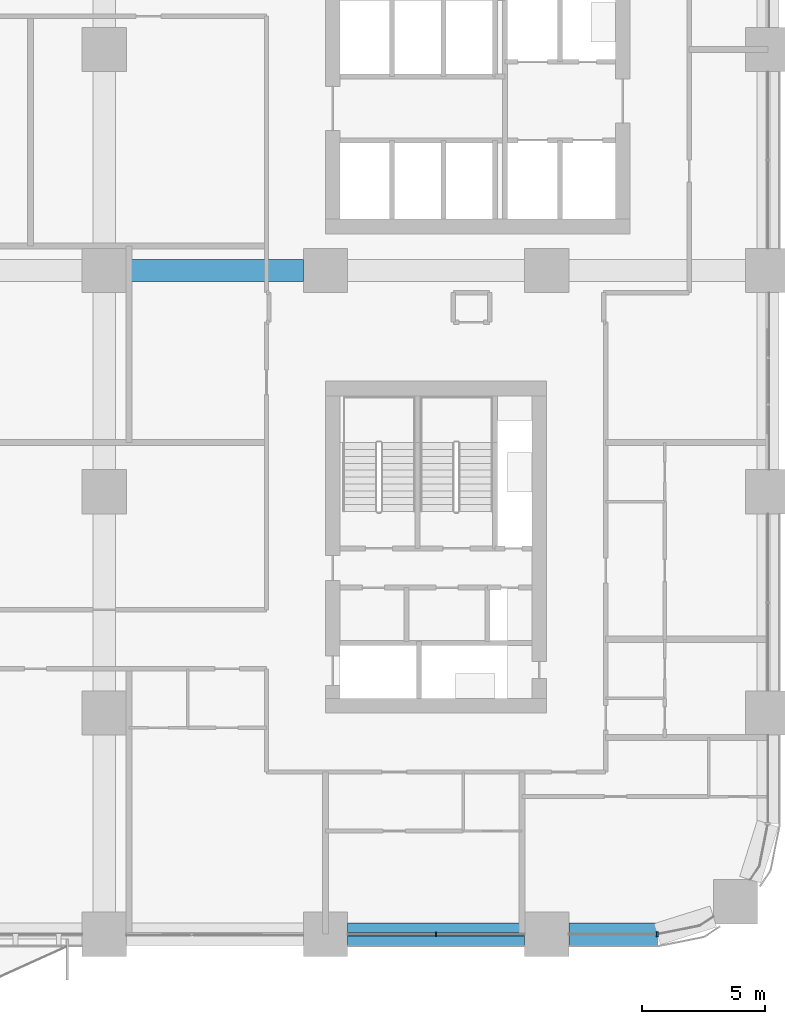
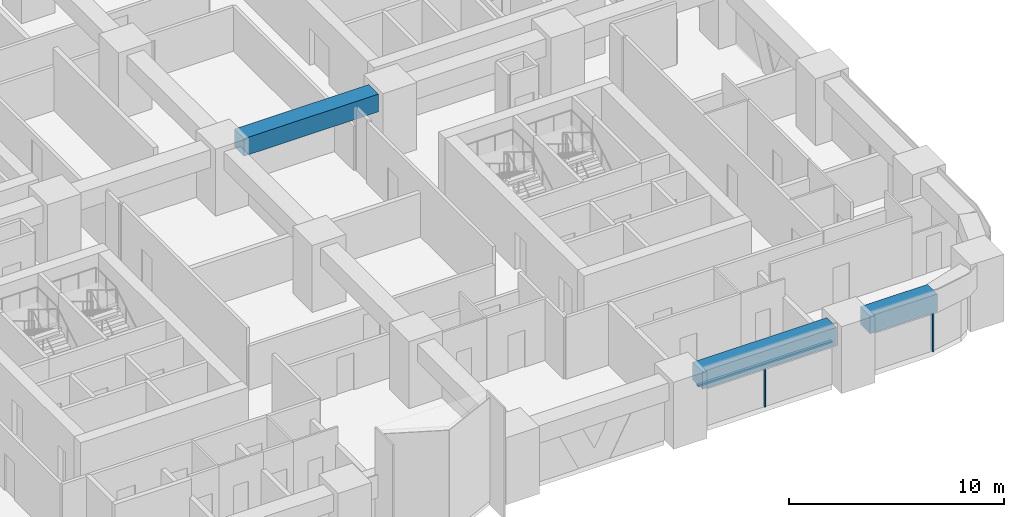
# One storey, part 5 of 24: 3 beams, 3 members, 2 elements without a shape of their own.
"""IFC4 building model written with IfcOpenShell, lengths in metres."""

from ifc_helpers import new_model, si_unit, direction, frame, origin, origin_2d, place, context, subcontext, project, spatial, rectangle, extrude, material, material_profile, profile_set, type_object, element, aggregate, save


model = new_model("IFC4")

# Units and contexts
model_context = context("Model", 3, precision=1e-05, world=origin(), true_north=direction((0.0, 1.0)))
body_context = subcontext(model_context, "Body", "Model", "MODEL_VIEW")
ifc_project = project(units=[si_unit("LENGTHUNIT", "METRE"), si_unit("AREAUNIT", "SQUARE_METRE"), si_unit("VOLUMEUNIT", "CUBIC_METRE"), si_unit("PLANEANGLEUNIT", "RADIAN"), si_unit("MASSUNIT", "GRAM", prefix="KILO")], contexts=[model_context])

# Site, building, storey
site_placement = place(None, origin())
site = spatial("IfcSite", under=ifc_project, at=site_placement, CompositionType="ELEMENT")
building_placement = place(site_placement, origin())
building = spatial("IfcBuilding", under=site, at=building_placement, Name="Tessera Arch", CompositionType="ELEMENT")
storey_placement = place(building_placement, frame((0.0, 0.0, 38.60009765625)))
storey = spatial("IfcBuildingStorey", under=building, at=storey_placement, Name="L07", CompositionType="ELEMENT", Elevation=38.60009765625)

# Curtain wall, members
ifc_material_1 = material(Name="CW1 curtain wall")
curtain_wall_type_1 = type_object("IfcCurtainWallType", Name="CW1 curtain wall", PredefinedType="NOTDEFINED", material=ifc_material_1)
curtain_wall_1_placement = place(storey_placement, origin())
curtain_wall_1 = element("IfcCurtainWall", 1, at=curtain_wall_1_placement, inside=storey, type_object=curtain_wall_type_1, Name="CW1 curtain wall S0.0/3 L07", PredefinedType="NOTDEFINED")
ifc_material_2 = material(Name="Anodised aluminium pale metal", Category="aluminium")
ifc_material_profile_1 = material_profile(ifc_material_2, rectangle(XDim=0.159912109375, YDim=0.06005859375, at=origin_2d()), Name="AL 60x160")
ifc_profile_set_1 = profile_set([ifc_material_profile_1], Name="Anodised aluminium pale metal")
member_type_1 = type_object("IfcMemberType", Name="CW1 mullion", PredefinedType="MULLION", material=ifc_profile_set_1)
member_1_placement = place(storey_placement, frame((40.5, 0.0, 0.0), z_axis=(0.0, 0.0, 1.0), x_axis=(0.0, 1.0, 0.0)))
member_1 = element("IfcMember", 2, at=member_1_placement, type_object=member_type_1, Name="CW1 mullion S0.0/3 1", PredefinedType="MULLION", context=body_context, shape_type="SweptSolid", body=[
    extrude(rectangle(XDim=0.159912109375, YDim=0.06005859375, at=origin_2d()), origin(), (0.0, 0.0, 1.0), 2.39990234375),
])
ifc_material_3 = material(Name="Anodised aluminium pale metal", Category="aluminium")
ifc_material_profile_2 = material_profile(ifc_material_3, rectangle(XDim=0.159912109375, YDim=0.10009765625, at=origin_2d()), Name="AL 160x100")
ifc_profile_set_2 = profile_set([ifc_material_profile_2], Name="Anodised aluminium pale metal")
member_type_2 = type_object("IfcMemberType", Name="CW1 transom", PredefinedType="USERDEFINED", material=ifc_profile_set_2)
member_2_placement = place(storey_placement, frame((36.89990234375, 0.0, 2.449951171875), z_axis=(1.0, 0.0, 0.0), x_axis=(0.0, 1.0, 0.0)))
member_2 = element("IfcMember", 3, at=member_2_placement, type_object=member_type_2, Name="CW1 transom S0.0/3 1.1", ObjectType="TRANSOM", PredefinedType="USERDEFINED", context=body_context, shape_type="SweptSolid", body=[
    extrude(rectangle(XDim=0.159912109375, YDim=0.10009765625, at=origin_2d()), origin(), (0.0, 0.0, 1.0), 7.2001953125),
])
aggregate(curtain_wall_1, [member_1, member_2])

# Curtain wall, member
ifc_material_4 = material(Name="CW2 curtain wall")
curtain_wall_type_2 = type_object("IfcCurtainWallType", Name="CW2 curtain wall", PredefinedType="NOTDEFINED", material=ifc_material_4)
curtain_wall_2_placement = place(storey_placement, origin())
curtain_wall_2 = element("IfcCurtainWall", 4, at=curtain_wall_2_placement, inside=storey, type_object=curtain_wall_type_2, Name="CW2 curtain wall S0.0/4 L07", PredefinedType="NOTDEFINED")
ifc_material_5 = material(Name="Anodised aluminium pale metal", Category="aluminium")
ifc_material_profile_3 = material_profile(ifc_material_5, rectangle(XDim=0.199951171875, YDim=0.080078125, at=origin_2d()), Name="AL 80x200")
ifc_profile_set_3 = profile_set([ifc_material_profile_3], Name="Anodised aluminium pale metal")
member_type_3 = type_object("IfcMemberType", Name="CW2 mullion", PredefinedType="MULLION", material=ifc_profile_set_3)
member_3_placement = place(storey_placement, frame((49.5, 0.0, 0.0), z_axis=(0.0, 0.0, 1.0), x_axis=(0.0, 1.0, 0.0)))
member_3 = element("IfcMember", 5, at=member_3_placement, type_object=member_type_3, Name="CW2 mullion S0.0/4 1", PredefinedType="MULLION", context=body_context, shape_type="SweptSolid", body=[
    extrude(rectangle(XDim=0.199951171875, YDim=0.080078125, at=origin_2d()), origin(), (0.0, 0.0, 1.0), 2.39990234375),
])
aggregate(curtain_wall_2, [member_3])

# Beams
ifc_material_6 = material(Name="Concrete C80/95", Category="concrete")
ifc_material_profile_4 = material_profile(ifc_material_6, rectangle(XDim=0.89990234375, YDim=1.0, at=origin_2d()), Name="RC spandrel beam 900 x 1000 Concrete C80/95")
ifc_profile_set_4 = profile_set([ifc_material_profile_4], Name="Concrete C80/95")
beam_type = type_object("IfcBeamType", Name="RC spandrel beam 900 x 1000 Concrete C80/95", PredefinedType="BEAM", material=ifc_profile_set_4)
beam_1_placement = place(storey_placement, frame((36.89990234375, 0.0, 3.0), z_axis=(1.0, 0.0, 0.0), x_axis=(0.0, 1.0, 0.0)))
element("IfcBeam", 6, at=beam_1_placement, inside=storey, type_object=beam_type, Name="Spandrel beam L07 S0.0/3", PredefinedType="BEAM", context=body_context, shape_type="SweptSolid", body=[
    extrude(rectangle(XDim=0.89990234375, YDim=1.0, at=origin_2d()), origin(), (0.0, 0.0, 1.0), 7.2001953125),
])
beam_2_placement = place(storey_placement, frame((45.89990234375, 0.0, 3.0), z_axis=(1.0, 0.0, 0.0), x_axis=(0.0, 1.0, 0.0)))
element("IfcBeam", 7, at=beam_2_placement, inside=storey, type_object=beam_type, Name="Spandrel beam L07 S0.0/4.1", PredefinedType="BEAM", context=body_context, shape_type="SweptSolid", body=[
    extrude(rectangle(XDim=0.89990234375, YDim=1.0, at=origin_2d()), origin(), (0.0, 0.0, 1.0), 3.60009765625),
])
beam_3_placement = place(storey_placement, frame((27.89990234375, 27.0, 3.0), z_axis=(1.0, 0.0, 0.0), x_axis=(0.0, 1.0, 0.0)))
element("IfcBeam", 8, at=beam_3_placement, inside=storey, type_object=beam_type, Name="Interface beam L07 I1C4D-C5D", PredefinedType="BEAM", context=body_context, shape_type="SweptSolid", body=[
    extrude(rectangle(XDim=0.89990234375, YDim=1.0, at=origin_2d()), origin(), (0.0, 0.0, 1.0), 7.2001953125),
])

save(model, "model.ifc")
